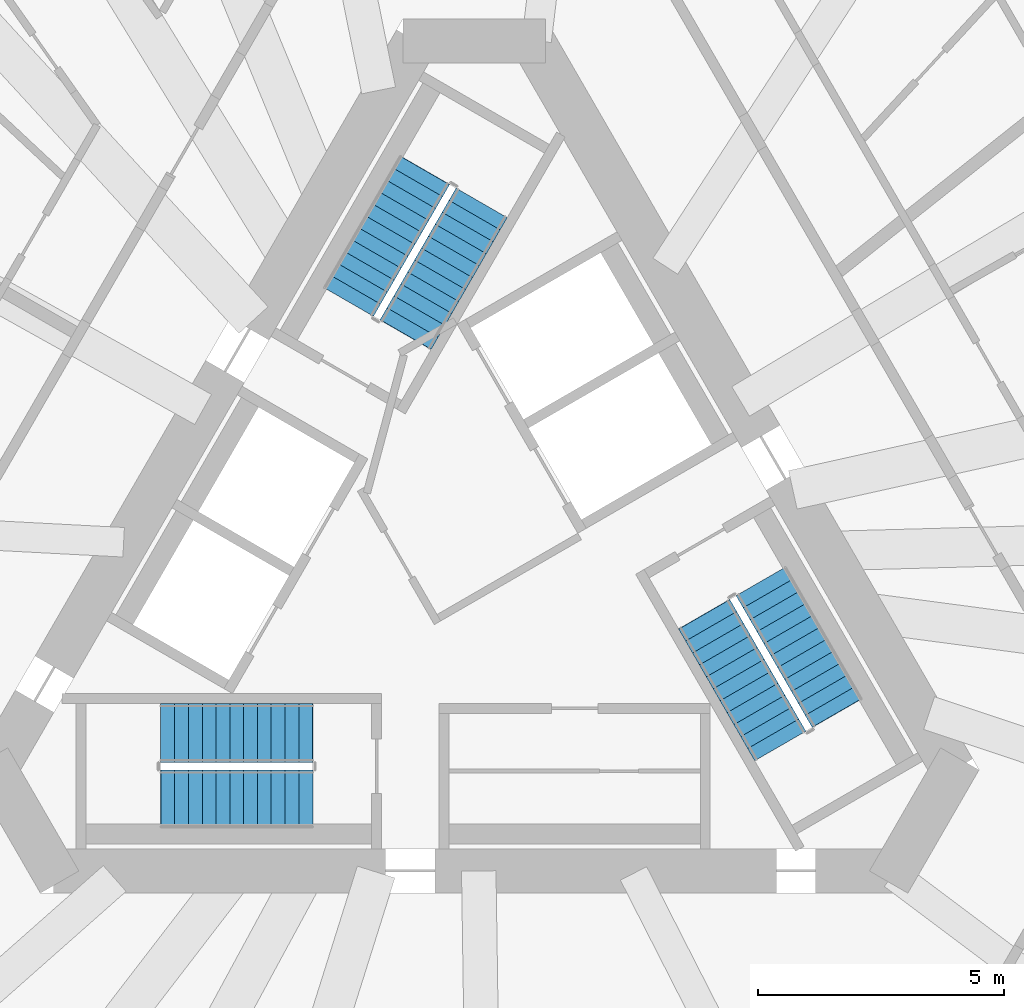
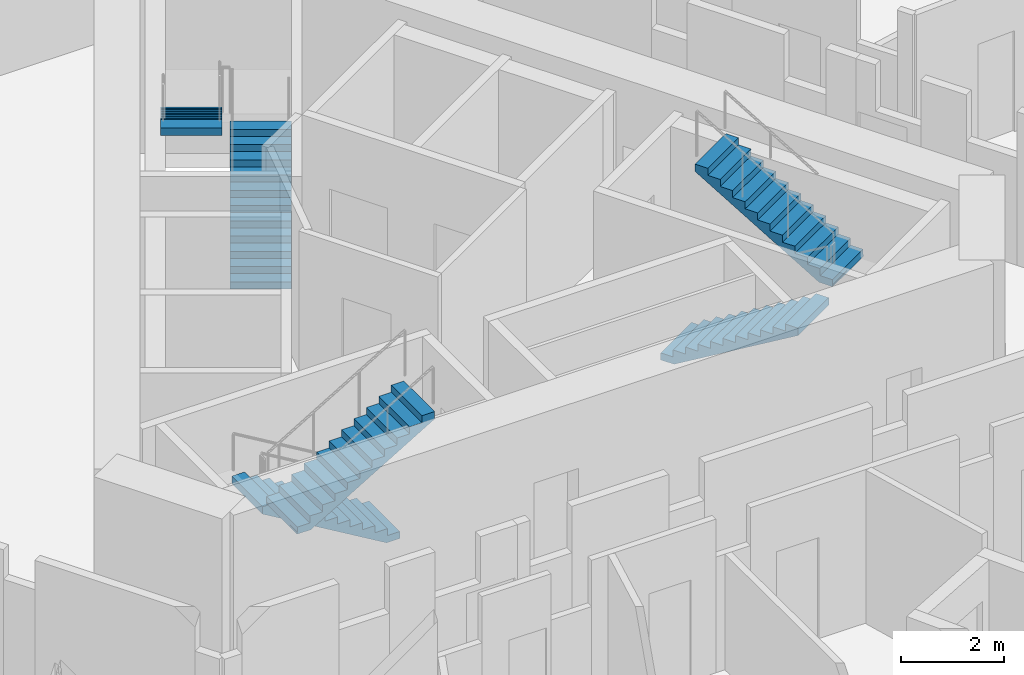
# One storey, part 9 of 13: 6 stair flights, 3 elements without a shape of their own.
"""IFC4 building model written with IfcOpenShell, lengths in metres."""

from ifc_helpers import new_model, si_unit, direction, frame, origin, place, context, subcontext, project, spatial, polyline, outline, extrude, material, layer, layer_set, type_object, element, aggregate, save


model = new_model("IFC4")

# Units and contexts
model_context = context("Model", 3, precision=1e-05, world=origin(), true_north=direction((0.0, 1.0)))
body_context = subcontext(model_context, "Body", "Model", "MODEL_VIEW")
ifc_project = project(units=[si_unit("LENGTHUNIT", "METRE"), si_unit("AREAUNIT", "SQUARE_METRE"), si_unit("VOLUMEUNIT", "CUBIC_METRE"), si_unit("PLANEANGLEUNIT", "RADIAN"), si_unit("MASSUNIT", "GRAM", prefix="KILO")], contexts=[model_context])

# Site, building, storey
site_placement = place(None, origin())
site = spatial("IfcSite", under=ifc_project, at=site_placement, CompositionType="ELEMENT")
building_placement = place(site_placement, origin())
building = spatial("IfcBuilding", under=site, at=building_placement, Name="Tramontana Tower", CompositionType="ELEMENT")
storey_placement = place(building_placement, frame((0.0, 0.0, 149.60009765625)))
storey = spatial("IfcBuildingStorey", under=building, at=storey_placement, Name="L34", CompositionType="ELEMENT", Elevation=149.60009765625)

# Stair, stair flights
ifc_material_1 = material(Name="Concrete 40 MPa", Category="concrete")
stair_type = type_object("IfcStairType", Name="EXIT STAIR 24 RISERS", PredefinedType="HALF_TURN_STAIR", material=ifc_material_1)
stair_1_placement = place(storey_placement, origin())
stair_1 = element("IfcStair", 1, at=stair_1_placement, inside=storey, type_object=stair_type, Name="L34 Exit stair ST1", PredefinedType="HALF_TURN_STAIR")
ifc_material_2 = material(Name="Concrete 40 MPa", Category="concrete")
ifc_layer = layer(ifc_material_2, 0.14990234375)
ifc_layer_set = layer_set([ifc_layer], Name="EXIT STAIR FLIGHT")
stair_flight_type = type_object("IfcStairFlightType", Name="EXIT STAIR FLIGHT", PredefinedType="STRAIGHT", material=ifc_layer_set)
stair_flight_1_placement = place(storey_placement, frame((-1.39111328125, 4.590576171875, 0.0), z_axis=(0.0, 0.0, 1.0), x_axis=(0.5, 0.866025403784, 0.0)))
stair_flight_1 = element("IfcStairFlight", 2, at=stair_flight_1_placement, type_object=stair_flight_type, Name="ST1 flight 1", NumberOfRisers=12, NumberOfTreads=11, PredefinedType="STRAIGHT", RiserHeight=0.166666667, TreadLength=0.28, context=body_context, shape_type="SweptSolid", body=[
    extrude(outline(polyline([(-0.006103515625, 0.0), (-0.006103515625, 0.0400390625), (0.0, 0.0400390625), (0.0, 0.166748046875), (0.280029296875, 0.166748046875), (0.280029296875, 0.333251953125), (0.56005859375, 0.333251953125), (0.56005859375, 0.5), (0.840087890625, 0.5), (0.840087890625, 0.666748046875), (1.1201171875, 0.666748046875), (1.1201171875, 0.833251953125), (1.39990234375, 0.833251953125), (1.39990234375, 1.0), (1.679931640625, 1.0), (1.679931640625, 1.166748046875), (1.9599609375, 1.166748046875), (1.9599609375, 1.333251953125), (2.239990234375, 1.333251953125), (2.239990234375, 1.5), (2.52001953125, 1.5), (2.52001953125, 1.666748046875), (2.800048828125, 1.666748046875), (2.800048828125, 1.833251953125), (3.080078125, 1.833251953125), (3.0859375, 1.833251953125), (3.0859375, 1.658935546875), (0.299072265625, 0.0), (-0.006103515625, 0.0)])), frame((0.0, 0.60009765625, 0.0), z_axis=(0.0, -1.0, 0.0), x_axis=(1.0, 0.0, 0.0)), (0.0, 0.0, 1.0), 1.199951171875),
])
stair_flight_2_placement = place(storey_placement, frame((-1.020263671875, 7.932861328125, 2.0), z_axis=(0.0, 0.0, 1.0), x_axis=(-0.5, -0.866025403784, 0.0)))
stair_flight_2 = element("IfcStairFlight", 3, at=stair_flight_2_placement, type_object=stair_flight_type, Name="ST1 flight 2", NumberOfRisers=12, NumberOfTreads=11, PredefinedType="STRAIGHT", RiserHeight=0.166666667, TreadLength=0.28, context=body_context, shape_type="SweptSolid", body=[
    extrude(outline(polyline([(-0.006103515625, 0.0), (-0.006103515625, 0.0400390625), (0.0, 0.0400390625), (0.0, 0.166748046875), (0.280029296875, 0.166748046875), (0.280029296875, 0.333251953125), (0.56005859375, 0.333251953125), (0.56005859375, 0.5), (0.840087890625, 0.5), (0.840087890625, 0.666748046875), (1.1201171875, 0.666748046875), (1.1201171875, 0.833251953125), (1.39990234375, 0.833251953125), (1.39990234375, 1.0), (1.679931640625, 1.0), (1.679931640625, 1.166748046875), (1.9599609375, 1.166748046875), (1.9599609375, 1.333251953125), (2.239990234375, 1.333251953125), (2.239990234375, 1.5), (2.52001953125, 1.5), (2.52001953125, 1.666748046875), (2.800048828125, 1.666748046875), (2.800048828125, 1.833251953125), (3.080078125, 1.833251953125), (3.0859375, 1.833251953125), (3.0859375, 1.658935546875), (0.299072265625, 0.0), (-0.006103515625, 0.0)])), frame((0.0, 0.60009765625, 0.0), z_axis=(0.0, -1.0, 0.0), x_axis=(1.0, 0.0, 0.0)), (0.0, 0.0, 1.0), 1.199951171875),
])
aggregate(stair_1, [stair_flight_1, stair_flight_2])

stair_2_placement = place(storey_placement, origin())
stair_2 = element("IfcStair", 4, at=stair_2_placement, inside=storey, type_object=stair_type, Name="L34 Exit stair ST2", PredefinedType="HALF_TURN_STAIR")
stair_flight_3_placement = place(storey_placement, frame((-3.280029296875, -3.5, 0.0), z_axis=(0.0, 0.0, 1.0), x_axis=(-1.0, 0.0, 0.0)))
stair_flight_3 = element("IfcStairFlight", 5, at=stair_flight_3_placement, type_object=stair_flight_type, Name="ST2 flight 1", NumberOfRisers=12, NumberOfTreads=11, PredefinedType="STRAIGHT", RiserHeight=0.166666667, TreadLength=0.28, context=body_context, shape_type="SweptSolid", body=[
    extrude(outline(polyline([(-0.006103515625, 0.0), (-0.006103515625, 0.0400390625), (0.0, 0.0400390625), (0.0, 0.166748046875), (0.280029296875, 0.166748046875), (0.280029296875, 0.333251953125), (0.56005859375, 0.333251953125), (0.56005859375, 0.5), (0.840087890625, 0.5), (0.840087890625, 0.666748046875), (1.1201171875, 0.666748046875), (1.1201171875, 0.833251953125), (1.39990234375, 0.833251953125), (1.39990234375, 1.0), (1.679931640625, 1.0), (1.679931640625, 1.166748046875), (1.9599609375, 1.166748046875), (1.9599609375, 1.333251953125), (2.239990234375, 1.333251953125), (2.239990234375, 1.5), (2.52001953125, 1.5), (2.52001953125, 1.666748046875), (2.800048828125, 1.666748046875), (2.800048828125, 1.833251953125), (3.080078125, 1.833251953125), (3.0859375, 1.833251953125), (3.0859375, 1.658935546875), (0.299072265625, 0.0), (-0.006103515625, 0.0)])), frame((0.0, 0.60009765625, 0.0), z_axis=(0.0, -1.0, 0.0), x_axis=(1.0, 0.0, 0.0)), (0.0, 0.0, 1.0), 1.199951171875),
])
stair_flight_4_placement = place(storey_placement, frame((-6.360107421875, -4.85009765625, 2.0), z_axis=(0.0, 0.0, 1.0), x_axis=(1.0, 0.0, 0.0)))
stair_flight_4 = element("IfcStairFlight", 6, at=stair_flight_4_placement, type_object=stair_flight_type, Name="ST2 flight 2", NumberOfRisers=12, NumberOfTreads=11, PredefinedType="STRAIGHT", RiserHeight=0.166666667, TreadLength=0.28, context=body_context, shape_type="SweptSolid", body=[
    extrude(outline(polyline([(-0.006103515625, 0.0), (-0.006103515625, 0.0400390625), (0.0, 0.0400390625), (0.0, 0.166748046875), (0.280029296875, 0.166748046875), (0.280029296875, 0.333251953125), (0.56005859375, 0.333251953125), (0.56005859375, 0.5), (0.840087890625, 0.5), (0.840087890625, 0.666748046875), (1.1201171875, 0.666748046875), (1.1201171875, 0.833251953125), (1.39990234375, 0.833251953125), (1.39990234375, 1.0), (1.679931640625, 1.0), (1.679931640625, 1.166748046875), (1.9599609375, 1.166748046875), (1.9599609375, 1.333251953125), (2.239990234375, 1.333251953125), (2.239990234375, 1.5), (2.52001953125, 1.5), (2.52001953125, 1.666748046875), (2.800048828125, 1.666748046875), (2.800048828125, 1.833251953125), (3.080078125, 1.833251953125), (3.0859375, 1.833251953125), (3.0859375, 1.658935546875), (0.299072265625, 0.0), (-0.006103515625, 0.0)])), frame((0.0, 0.60009765625, 0.0), z_axis=(0.0, -1.0, 0.0), x_axis=(1.0, 0.0, 0.0)), (0.0, 0.0, 1.0), 1.199951171875),
])
aggregate(stair_2, [stair_flight_3, stair_flight_4])

stair_3_placement = place(storey_placement, origin())
stair_3 = element("IfcStair", 7, at=stair_3_placement, inside=storey, type_object=stair_type, Name="L34 Exit stair ST3", PredefinedType="HALF_TURN_STAIR")
stair_flight_5_placement = place(storey_placement, frame((4.671142578125, -1.090576171875, 0.0), z_axis=(0.0, 0.0, 1.0), x_axis=(0.5, -0.866025403784, 0.0)))
stair_flight_5 = element("IfcStairFlight", 8, at=stair_flight_5_placement, type_object=stair_flight_type, Name="ST3 flight 1", NumberOfRisers=12, NumberOfTreads=11, PredefinedType="STRAIGHT", RiserHeight=0.166666667, TreadLength=0.28, context=body_context, shape_type="SweptSolid", body=[
    extrude(outline(polyline([(-0.006103515625, 0.0), (-0.006103515625, 0.0400390625), (0.0, 0.0400390625), (0.0, 0.166748046875), (0.280029296875, 0.166748046875), (0.280029296875, 0.333251953125), (0.56005859375, 0.333251953125), (0.56005859375, 0.5), (0.840087890625, 0.5), (0.840087890625, 0.666748046875), (1.1201171875, 0.666748046875), (1.1201171875, 0.833251953125), (1.39990234375, 0.833251953125), (1.39990234375, 1.0), (1.679931640625, 1.0), (1.679931640625, 1.166748046875), (1.9599609375, 1.166748046875), (1.9599609375, 1.333251953125), (2.239990234375, 1.333251953125), (2.239990234375, 1.5), (2.52001953125, 1.5), (2.52001953125, 1.666748046875), (2.800048828125, 1.666748046875), (2.800048828125, 1.833251953125), (3.080078125, 1.833251953125), (3.0859375, 1.833251953125), (3.0859375, 1.658935546875), (0.299072265625, 0.0), (-0.006103515625, 0.0)])), frame((0.0, 0.60009765625, 0.0), z_axis=(0.0, -1.0, 0.0), x_axis=(1.0, 0.0, 0.0)), (0.0, 0.0, 1.0), 1.199951171875),
])
stair_flight_6_placement = place(storey_placement, frame((7.380126953125, -3.0830078125, 2.0), z_axis=(0.0, 0.0, 1.0), x_axis=(-0.5, 0.866025403784, 0.0)))
stair_flight_6 = element("IfcStairFlight", 9, at=stair_flight_6_placement, type_object=stair_flight_type, Name="ST3 flight 2", NumberOfRisers=12, NumberOfTreads=11, PredefinedType="STRAIGHT", RiserHeight=0.166666667, TreadLength=0.28, context=body_context, shape_type="SweptSolid", body=[
    extrude(outline(polyline([(-0.006103515625, 0.0), (-0.006103515625, 0.0400390625), (0.0, 0.0400390625), (0.0, 0.166748046875), (0.280029296875, 0.166748046875), (0.280029296875, 0.333251953125), (0.56005859375, 0.333251953125), (0.56005859375, 0.5), (0.840087890625, 0.5), (0.840087890625, 0.666748046875), (1.1201171875, 0.666748046875), (1.1201171875, 0.833251953125), (1.39990234375, 0.833251953125), (1.39990234375, 1.0), (1.679931640625, 1.0), (1.679931640625, 1.166748046875), (1.9599609375, 1.166748046875), (1.9599609375, 1.333251953125), (2.239990234375, 1.333251953125), (2.239990234375, 1.5), (2.52001953125, 1.5), (2.52001953125, 1.666748046875), (2.800048828125, 1.666748046875), (2.800048828125, 1.833251953125), (3.080078125, 1.833251953125), (3.0859375, 1.833251953125), (3.0859375, 1.658935546875), (0.299072265625, 0.0), (-0.006103515625, 0.0)])), frame((0.0, 0.60009765625, 0.0), z_axis=(0.0, -1.0, 0.0), x_axis=(1.0, 0.0, 0.0)), (0.0, 0.0, 1.0), 1.199951171875),
])
aggregate(stair_3, [stair_flight_5, stair_flight_6])

save(model, "model.ifc")
